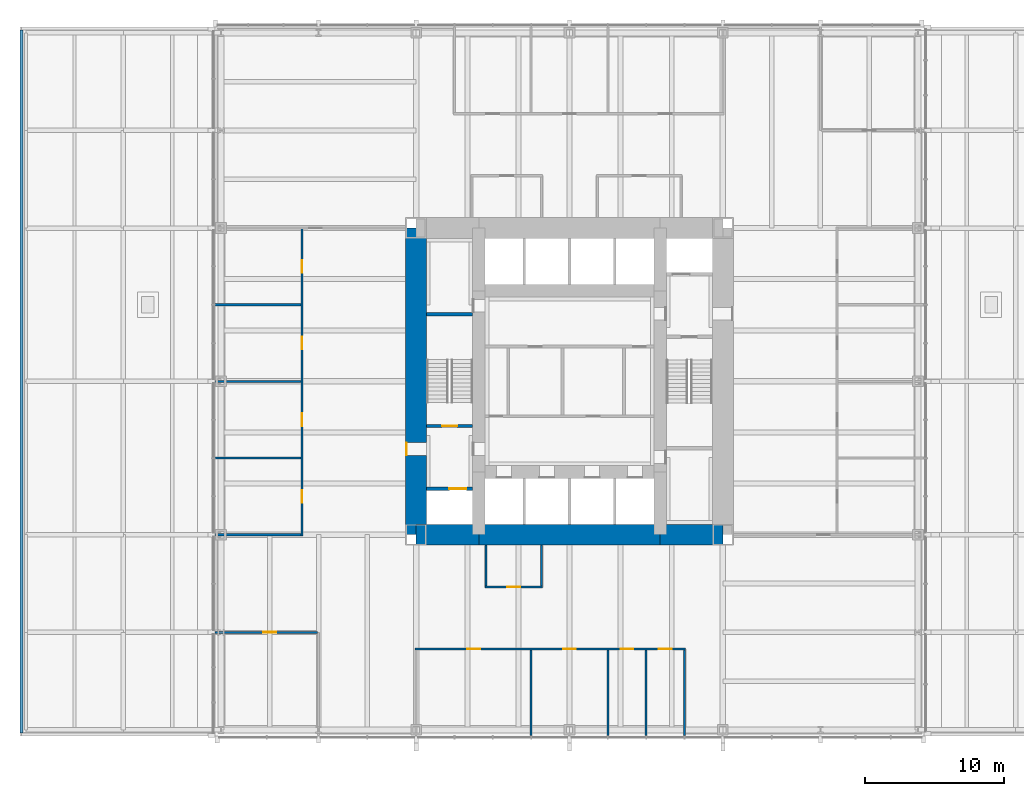
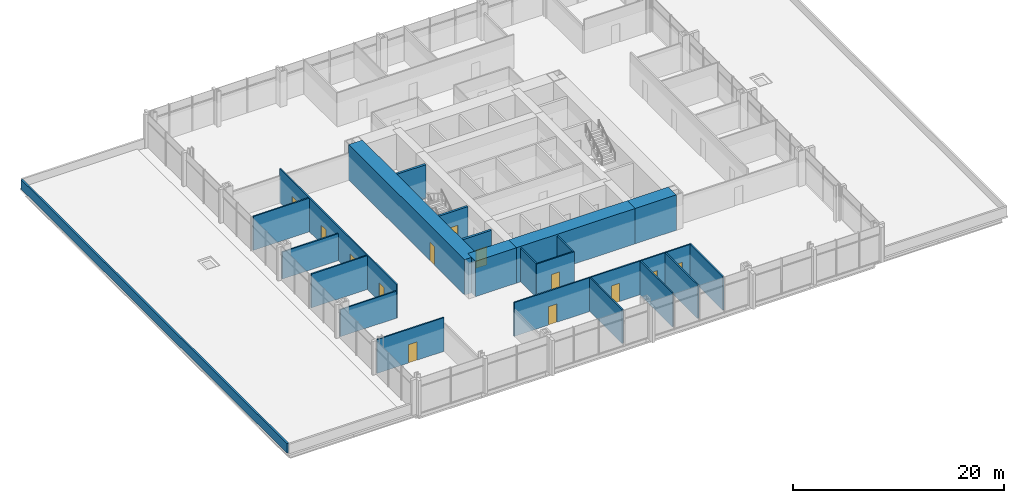
# One storey, part 12 of 15: 22 walls, 13 doors, 13 openings.
"""IFC4 building model written with IfcOpenShell, lengths in metres."""

import ifcopenshell
import ifcopenshell.guid

model = None  # the IFC model being written
_history = None  # IfcOwnerHistory: only IFC2X3 demands one
_inside = {}  # id of a spatial element -> (the spatial element, [elements in it])
_under = {}  # id of a project, library or spatial element -> (it, [spatial elements below it])
_declared = {}  # id of a project -> (the project, [libraries it declares])
_typed = {}  # id of a type object -> (the type object, [elements of that type])
_made_of = {}  # id of a material, layer set ... -> (it, [elements and type objects made of it])


def new_model(schema):
    """Start an empty IFC model of exactly this schema.

    Asked for "IFC4X3", IfcOpenShell would pick the latest addendum, in which some entities
    have other attributes; the version numbers below select the first issue.
    IFC2X3 requires an IfcOwnerHistory on every rooted entity: one is made here for all.
    """
    global model, _history
    if schema == "IFC4X3":
        model = ifcopenshell.file(schema_version=(4, 3, 0, 0))
    else:
        model = ifcopenshell.file(schema=schema)
    _inside.clear()
    _under.clear()
    _declared.clear()
    _typed.clear()
    _made_of.clear()
    _history = None
    if model.schema == "IFC2X3":
        org = make("IfcOrganization", Name="unknown")
        user = make(
            "IfcPersonAndOrganization",
            ThePerson=make("IfcPerson", FamilyName="unknown"),
            TheOrganization=org,
        )
        app = make(
            "IfcApplication",
            ApplicationDeveloper=org,
            Version="unknown",
            ApplicationFullName="unknown",
            ApplicationIdentifier="unknown",
        )
        _history = make(
            "IfcOwnerHistory",
            OwningUser=user,
            OwningApplication=app,
            ChangeAction="ADDED",
            CreationDate=0,
        )
    return model


def make(cls, **values):
    """One entity of the class cls with the attributes given. An attribute that is None is left unset."""
    return model.create_entity(
        cls, **{name: value for name, value in values.items() if value is not None}
    )


def rooted(cls, **values):
    """An entity with a GlobalId (a new one), such as an element, a storey or a relation."""
    return make(cls, GlobalId=ifcopenshell.guid.new(), OwnerHistory=_history, **values)


def si_unit(unit_type, name, prefix=None):
    """IfcSIUnit, for example si_unit("LENGTHUNIT", "METRE", prefix="MILLI")."""
    return make("IfcSIUnit", UnitType=unit_type, Prefix=prefix, Name=name)


def assignment(units):
    """IfcUnitAssignment: the units of a project."""
    return None if units is None else make("IfcUnitAssignment", Units=units)


def point(xyz):
    """IfcCartesianPoint."""
    return None if xyz is None else make("IfcCartesianPoint", Coordinates=xyz)


def direction(xyz):
    """IfcDirection."""
    return None if xyz is None else make("IfcDirection", DirectionRatios=xyz)


def frame(location, z_axis=None, x_axis=None):
    """IfcAxis2Placement3D, a coordinate frame: its origin and axes. An axis left out is left unset."""
    return make(
        "IfcAxis2Placement3D",
        Location=point(location),
        Axis=direction(z_axis),
        RefDirection=direction(x_axis),
    )


def frame_2d(location, x_axis=None):
    """IfcAxis2Placement2D, a coordinate frame in the plane: its origin and x axis."""
    return make(
        "IfcAxis2Placement2D", Location=point(location), RefDirection=direction(x_axis)
    )


def origin():
    """The frame at (0, 0, 0) with its axes left unset."""
    return frame((0.0, 0.0, 0.0))


def place(relative_to, where):
    """IfcLocalPlacement: puts the frame where relative to a parent placement (None: the world)."""
    return make(
        "IfcLocalPlacement", PlacementRelTo=relative_to, RelativePlacement=where
    )


def context(
    kind, dimensions, precision=None, world=None, true_north=None, identifier=None
):
    """IfcGeometricRepresentationContext, for example the 3D "Model" context."""
    return make(
        "IfcGeometricRepresentationContext",
        ContextIdentifier=identifier,
        ContextType=kind,
        CoordinateSpaceDimension=dimensions,
        Precision=precision,
        WorldCoordinateSystem=world,
        TrueNorth=true_north,
    )


def subcontext(parent, identifier, kind, view, scale=None):
    """IfcGeometricRepresentationSubContext, for example "Body" below "Model"."""
    return make(
        "IfcGeometricRepresentationSubContext",
        ContextIdentifier=identifier,
        ContextType=kind,
        ParentContext=parent,
        TargetScale=scale,
        TargetView=view,
    )


def project(units=None, contexts=None):
    """IfcProject with its units and contexts."""
    return rooted(
        "IfcProject",
        Name="project",
        RepresentationContexts=contexts,
        UnitsInContext=assignment(units),
    )


def spatial(cls, under=None, at=None, **own):
    """A site, building, storey or space (cls), placed at a placement, below another one or the project."""
    s = rooted(cls, ObjectPlacement=at, **own)
    if under is not None:
        _under.setdefault(under.id(), (under, []))[1].append(s)
    return s


def profile(cls, at=None, kind="AREA", **sizes):
    """A parametric profile (cls). Its sizes go by their IFC names, for example OverallWidth=200.0."""
    return make(cls, ProfileType=kind, Position=at, **sizes)


def rectangle(**sizes):
    """IfcRectangleProfileDef."""
    return profile("IfcRectangleProfileDef", **sizes)


def extrude(swept, where, along, depth):
    """IfcExtrudedAreaSolid: the profile swept, set in the frame where, extruded along a direction by depth."""
    return make(
        "IfcExtrudedAreaSolid",
        SweptArea=swept,
        Position=where,
        ExtrudedDirection=direction(along),
        Depth=depth,
    )


def shape(context_of_items, identifier, shape_type, items):
    """IfcShapeRepresentation: the items that make up one representation, for example the "Body"."""
    return make(
        "IfcShapeRepresentation",
        ContextOfItems=context_of_items,
        RepresentationIdentifier=identifier,
        RepresentationType=shape_type,
        Items=items,
    )


def material(Name=None, Category=None):
    """IfcMaterial."""
    return make("IfcMaterial", Name=Name, Category=Category)


def layer(
    of_material, thickness, ventilated=None, Name=None, Category=None, Priority=None
):
    """IfcMaterialLayer: one layer of a wall or slab, of a material (None: an air gap)."""
    return make(
        "IfcMaterialLayer",
        Material=of_material,
        LayerThickness=thickness,
        IsVentilated=ventilated,
        Name=Name,
        Category=Category,
        Priority=Priority,
    )


def layer_set(layers, Name=None):
    """IfcMaterialLayerSet."""
    return make("IfcMaterialLayerSet", MaterialLayers=layers, LayerSetName=Name)


def made_of(thing, what):
    """Note that an element or type object is made of a material, layer set ...; save() writes the relation."""
    if what is not None:
        _made_of.setdefault(what.id(), (what, []))[1].append(thing)
    return thing


def type_object(cls, material=None, **own):
    """A type object (cls), such as IfcWallType, which elements share."""
    return made_of(rooted(cls, **own), material)


def element(
    cls,
    number,
    at=None,
    inside=None,
    cuts=None,
    type_object=None,
    material=None,
    context=None,
    identifier="Body",
    shape_type=None,
    held_by="IfcProductDefinitionShape",
    body=None,
    shapes=None,
    **own,
):
    """One element of the class cls, such as IfcWall. Its Tag is "e" and its number.

    at: its placement. inside: the storey or other place that contains it. cuts: it is an
    opening in that element (IfcRelVoidsElement). A single representation is given by context,
    identifier, shape_type and body (its items); several are given by shapes. held_by: the class
    of the entity that holds the representations. save() writes the other relations.
    """
    e = rooted(cls, Tag="e%d" % number, ObjectPlacement=at, **own)
    if body is not None:
        shapes = [shape(context, identifier, shape_type, body)]
    if shapes is not None:
        e.Representation = make(held_by, Representations=shapes)
    if inside is not None:
        _inside.setdefault(inside.id(), (inside, []))[1].append(e)
    if cuts is not None:
        rooted(
            "IfcRelVoidsElement", RelatingBuildingElement=cuts, RelatedOpeningElement=e
        )
    if type_object is not None:
        _typed.setdefault(type_object.id(), (type_object, []))[1].append(e)
    return made_of(e, material)


def fill(opening, filler):
    """IfcRelFillsElement: the door or window that sits in an opening."""
    return rooted(
        "IfcRelFillsElement",
        RelatingOpeningElement=opening,
        RelatedBuildingElement=filler,
    )


def aggregate(whole, parts):
    """IfcRelAggregates: a whole, such as a stair, and the parts it consists of."""
    return rooted("IfcRelAggregates", RelatingObject=whole, RelatedObjects=parts)


def save(model, path):
    """Write the relations noted so far, then the file.

    IfcRelAggregates (storeys below a building ...), IfcRelContainedInSpatialStructure (elements
    in a storey), IfcRelDefinesByType, IfcRelAssociatesMaterial and IfcRelDeclares: one each for
    every whole, place, type object, material and project.
    """
    for whole, parts in _under.values():
        aggregate(whole, parts)
    for where, things in _inside.values():
        rooted(
            "IfcRelContainedInSpatialStructure",
            RelatedElements=things,
            RelatingStructure=where,
        )
    for kind, things in _typed.values():
        rooted("IfcRelDefinesByType", RelatedObjects=things, RelatingType=kind)
    for what, things in _made_of.values():
        rooted("IfcRelAssociatesMaterial", RelatedObjects=things, RelatingMaterial=what)
    for by, libraries in _declared.values():
        rooted("IfcRelDeclares", RelatingContext=by, RelatedDefinitions=libraries)
    model.write(path)


model = new_model("IFC4")

# Units and contexts
model_context = context("Model", 3, precision=1e-05, world=origin(), true_north=direction((0.0, 1.0)))
body_context = subcontext(model_context, "Body", "Model", "MODEL_VIEW")
ifc_project = project(units=[si_unit("LENGTHUNIT", "METRE"), si_unit("AREAUNIT", "SQUARE_METRE"), si_unit("VOLUMEUNIT", "CUBIC_METRE"), si_unit("PLANEANGLEUNIT", "RADIAN"), si_unit("MASSUNIT", "GRAM", prefix="KILO")], contexts=[model_context])

# Site, building, storey
site_placement = place(None, origin())
site = spatial("IfcSite", under=ifc_project, at=site_placement, CompositionType="ELEMENT")
building_placement = place(site_placement, origin())
building = spatial("IfcBuilding", under=site, at=building_placement, Name="Trevanion Tower", CompositionType="ELEMENT")
storey_placement = place(building_placement, frame((0.0, 0.0, 16.0)))
storey = spatial("IfcBuildingStorey", under=building, at=storey_placement, Name="L03", CompositionType="ELEMENT", Elevation=16.0)

# Wall, opening, door
ifc_material_1 = material(Name="Concrete 10,000 psi", Category="concrete")
ifc_layer_1 = layer(ifc_material_1, 1.5)
ifc_layer_set_1 = layer_set([ifc_layer_1], Name="CW1 core wall 1500")
wall_type_1 = type_object("IfcWallType", Name="CW1 core wall 1500", PredefinedType="SHEAR", material=ifc_layer_set_1)
wall_1_placement = place(storey_placement, frame((-11.0, 11.0, 0.0), z_axis=(0.0, 0.0, 1.0), x_axis=(0.0, -1.0, 0.0)))
wall_1 = element("IfcWall", 1, at=wall_1_placement, inside=storey, type_object=wall_type_1, Name="CW1 CW L03", PredefinedType="SHEAR", context=body_context, shape_type="SweptSolid", body=[
    extrude(rectangle(XDim=22.0, YDim=1.5, at=frame_2d((11.0, 0.0))), origin(), (0.0, 0.0, 1.0), 4.10009765625),
])
opening_1_placement = place(wall_1_placement, frame((15.392578125, 0.0, 0.0)))
opening_1 = element("IfcOpeningElement", 2, at=opening_1_placement, cuts=wall_1, Name="Opening 03-002", PredefinedType="OPENING", context=body_context, shape_type="SweptSolid", body=[
    extrude(rectangle(XDim=0.9150390625, YDim=2.134033203125, at=frame_2d((0.45751953125, 1.06689453125))), frame((0.0, 0.760009765625, 0.0), z_axis=(0.0, -1.0, 0.0), x_axis=(1.0, 0.0, 0.0)), (0.0, 0.0, 1.0), 1.52001953125),
])
ifc_material_2 = material(Name="Hollow metal, fire rated", Category="steel")
door_type_1 = type_object("IfcDoorType", Name="D3 fire lift lobby door", OperationType="SINGLE_SWING_RIGHT", PredefinedType="DOOR", material=ifc_material_2)
door_1_placement = place(opening_1_placement, origin())
door_1 = element("IfcDoor", 3, at=door_1_placement, inside=storey, type_object=door_type_1, Name="Door 03-002", OperationType="SINGLE_SWING_RIGHT", OverallHeight=2.134033203125, OverallWidth=0.9150390625, PredefinedType="DOOR", context=body_context, shape_type="SweptSolid", body=[
    extrude(rectangle(XDim=0.9150390625, YDim=2.134033203125, at=frame_2d((0.45751953125, 1.06689453125))), frame((0.0, -0.6748046875, 0.0), z_axis=(0.0, -1.0, 0.0), x_axis=(1.0, 0.0, 0.0)), (0.0, 0.0, 1.0), 0.050048828125),
])
fill(opening_1, door_1)

# Walls
wall_2_placement = place(storey_placement, frame((-11.0, -11.0, 0.0), z_axis=(0.0, 0.0, 1.0), x_axis=(1.0, 0.0, 0.0)))
element("IfcWall", 4, at=wall_2_placement, inside=storey, type_object=wall_type_1, Name="CW1 CS1 L03", PredefinedType="SHEAR", context=body_context, shape_type="SweptSolid", body=[
    extrude(rectangle(XDim=4.5, YDim=1.5, at=frame_2d((2.25, 0.0))), origin(), (0.0, 0.0, 1.0), 4.10009765625),
])
wall_3_placement = place(storey_placement, frame((-6.5, -11.0, 0.0), z_axis=(0.0, 0.0, 1.0), x_axis=(1.0, 0.0, 0.0)))
element("IfcWall", 5, at=wall_3_placement, inside=storey, type_object=wall_type_1, Name="CW1 CS2 L03", PredefinedType="SHEAR", context=body_context, shape_type="SweptSolid", body=[
    extrude(rectangle(XDim=13.0, YDim=1.5, at=frame_2d((6.5, 0.0))), origin(), (0.0, 0.0, 1.0), 4.10009765625),
])
wall_4_placement = place(storey_placement, frame((6.5, -11.0, 0.0), z_axis=(0.0, 0.0, 1.0), x_axis=(1.0, 0.0, 0.0)))
element("IfcWall", 6, at=wall_4_placement, inside=storey, type_object=wall_type_1, Name="CW1 CS3 L03", PredefinedType="SHEAR", context=body_context, shape_type="SweptSolid", body=[
    extrude(rectangle(XDim=4.5, YDim=1.5, at=frame_2d((2.25, 0.0))), origin(), (0.0, 0.0, 1.0), 4.10009765625),
])
ifc_material_3 = material(Name="Reinforced concrete parapet faced in bronze metal coping", Category="concrete")
ifc_layer_2 = layer(ifc_material_3, 0.199951171875)
ifc_layer_set_2 = layer_set([ifc_layer_2], Name="PP1 parapet 200")
wall_type_2 = type_object("IfcWallType", Name="PP1 parapet 200", PredefinedType="PARAPET", material=ifc_layer_set_2)
wall_5_placement = place(storey_placement, frame((-39.320068359375, -25.219970703125, 0.0), z_axis=(0.0, 0.0, 1.0), x_axis=(0.0, 1.0, 0.0)))
element("IfcWall", 7, at=wall_5_placement, inside=storey, type_object=wall_type_2, Name="PP1 L03 west 2", PredefinedType="PARAPET", context=body_context, shape_type="SweptSolid", body=[
    extrude(rectangle(XDim=50.43994140625, YDim=0.199951171875, at=frame_2d((25.219970703125, 0.0))), origin(), (0.0, 0.0, 1.0), 1.10009765625),
])

# Wall, opening, door
ifc_material_4 = material(Name="Gypsum board on steel studs", Category="steel")
ifc_layer_3 = layer(ifc_material_4, 0.14990234375)
ifc_layer_set_3 = layer_set([ifc_layer_3], Name="PT1 partition 150")
wall_type_3 = type_object("IfcWallType", Name="PT1 partition 150", PredefinedType="PARTITIONING", material=ifc_layer_set_3)
wall_6_placement = place(storey_placement, frame((-18.074951171875, -18.0, 0.0), z_axis=(0.0, 0.0, 1.0), x_axis=(-1.0, 0.0, 0.0)))
wall_6 = element("IfcWall", 8, at=wall_6_placement, inside=storey, type_object=wall_type_3, Name="PT1 L03 KW2b", PredefinedType="PARTITIONING", context=body_context, shape_type="SweptSolid", body=[
    extrude(rectangle(XDim=7.340087890625, YDim=0.14990234375, at=frame_2d((3.669921875, 0.0))), origin(), (0.0, 0.0, 1.0), 3.909912109375),
])
opening_2_placement = place(wall_6_placement, frame((2.967529296875, 0.0, 0.0)))
opening_2 = element("IfcOpeningElement", 9, at=opening_2_placement, cuts=wall_6, Name="Opening 03-022", PredefinedType="OPENING", context=body_context, shape_type="SweptSolid", body=[
    extrude(rectangle(XDim=0.9150390625, YDim=2.134033203125, at=frame_2d((0.45751953125, 1.06689453125))), frame((0.0, 0.0849609375, 0.0), z_axis=(0.0, -1.0, 0.0), x_axis=(1.0, 0.0, 0.0)), (0.0, 0.0, 1.0), 0.169921875),
])
ifc_material_5 = material(Name="Timber veneer, solid core", Category="wood")
door_type_2 = type_object("IfcDoorType", Name="D1 office and meeting room door", OperationType="SINGLE_SWING_LEFT", PredefinedType="DOOR", material=ifc_material_5)
door_2_placement = place(opening_2_placement, origin())
door_2 = element("IfcDoor", 10, at=door_2_placement, inside=storey, type_object=door_type_2, Name="Door 03-022", OperationType="SINGLE_SWING_LEFT", OverallHeight=2.134033203125, OverallWidth=0.9150390625, PredefinedType="DOOR", context=body_context, shape_type="SweptSolid", body=[
    extrude(rectangle(XDim=0.9150390625, YDim=2.134033203125, at=frame_2d((0.45751953125, 1.06689453125))), frame((0.0, 0.02490234375, 0.0), z_axis=(0.0, -1.0, 0.0), x_axis=(1.0, 0.0, 0.0)), (0.0, 0.0, 1.0), 0.050048828125),
])
fill(opening_2, door_2)

# Wall, openings, doors
wall_7_placement = place(storey_placement, frame((-19.199951171875, 11.074951171875, 0.0), z_axis=(0.0, 0.0, 1.0), x_axis=(0.0, -1.0, 0.0)))
wall_7 = element("IfcWall", 11, at=wall_7_placement, inside=storey, type_object=wall_type_3, Name="PT1 L03 FC2F", PredefinedType="PARTITIONING", context=body_context, shape_type="SweptSolid", body=[
    extrude(rectangle(XDim=22.14990234375, YDim=0.14990234375, at=frame_2d((11.074951171875, 0.0))), origin(), (0.0, 0.0, 1.0), 3.909912109375),
])
opening_3_placement = place(wall_7_placement, frame((2.367431640625, 0.0, 0.0)))
opening_3 = element("IfcOpeningElement", 12, at=opening_3_placement, cuts=wall_7, Name="Opening 03-027", PredefinedType="OPENING", context=body_context, shape_type="SweptSolid", body=[
    extrude(rectangle(XDim=0.9150390625, YDim=2.134033203125, at=frame_2d((0.45751953125, 1.06689453125))), frame((0.0, 0.0849609375, 0.0), z_axis=(0.0, -1.0, 0.0), x_axis=(1.0, 0.0, 0.0)), (0.0, 0.0, 1.0), 0.169921875),
])
opening_4_placement = place(wall_7_placement, frame((7.867431640625, 0.0, 0.0)))
opening_4 = element("IfcOpeningElement", 13, at=opening_4_placement, cuts=wall_7, Name="Opening 03-028", PredefinedType="OPENING", context=body_context, shape_type="SweptSolid", body=[
    extrude(rectangle(XDim=0.9150390625, YDim=2.134033203125, at=frame_2d((0.45751953125, 1.06689453125))), frame((0.0, 0.0849609375, 0.0), z_axis=(0.0, -1.0, 0.0), x_axis=(1.0, 0.0, 0.0)), (0.0, 0.0, 1.0), 0.169921875),
])
opening_5_placement = place(wall_7_placement, frame((13.367431640625, 0.0, 0.0)))
opening_5 = element("IfcOpeningElement", 14, at=opening_5_placement, cuts=wall_7, Name="Opening 03-029", PredefinedType="OPENING", context=body_context, shape_type="SweptSolid", body=[
    extrude(rectangle(XDim=0.9150390625, YDim=2.134033203125, at=frame_2d((0.45751953125, 1.06689453125))), frame((0.0, 0.0849609375, 0.0), z_axis=(0.0, -1.0, 0.0), x_axis=(1.0, 0.0, 0.0)), (0.0, 0.0, 1.0), 0.169921875),
])
opening_6_placement = place(wall_7_placement, frame((18.867431640625, 0.0, 0.0)))
opening_6 = element("IfcOpeningElement", 15, at=opening_6_placement, cuts=wall_7, Name="Opening 03-030", PredefinedType="OPENING", context=body_context, shape_type="SweptSolid", body=[
    extrude(rectangle(XDim=0.9150390625, YDim=2.134033203125, at=frame_2d((0.45751953125, 1.06689453125))), frame((0.0, 0.0849609375, 0.0), z_axis=(0.0, -1.0, 0.0), x_axis=(1.0, 0.0, 0.0)), (0.0, 0.0, 1.0), 0.169921875),
])
door_3_placement = place(opening_3_placement, origin())
door_3 = element("IfcDoor", 16, at=door_3_placement, inside=storey, type_object=door_type_2, Name="Door 03-027", OperationType="SINGLE_SWING_LEFT", OverallHeight=2.134033203125, OverallWidth=0.9150390625, PredefinedType="DOOR", context=body_context, shape_type="SweptSolid", body=[
    extrude(rectangle(XDim=0.9150390625, YDim=2.134033203125, at=frame_2d((0.45751953125, 1.06689453125))), frame((0.0, 0.02490234375, 0.0), z_axis=(0.0, -1.0, 0.0), x_axis=(1.0, 0.0, 0.0)), (0.0, 0.0, 1.0), 0.050048828125),
])
fill(opening_3, door_3)
door_4_placement = place(opening_4_placement, origin())
door_4 = element("IfcDoor", 17, at=door_4_placement, inside=storey, type_object=door_type_2, Name="Door 03-028", OperationType="SINGLE_SWING_LEFT", OverallHeight=2.134033203125, OverallWidth=0.9150390625, PredefinedType="DOOR", context=body_context, shape_type="SweptSolid", body=[
    extrude(rectangle(XDim=0.9150390625, YDim=2.134033203125, at=frame_2d((0.45751953125, 1.06689453125))), frame((0.0, 0.02490234375, 0.0), z_axis=(0.0, -1.0, 0.0), x_axis=(1.0, 0.0, 0.0)), (0.0, 0.0, 1.0), 0.050048828125),
])
fill(opening_4, door_4)
door_5_placement = place(opening_5_placement, origin())
door_5 = element("IfcDoor", 18, at=door_5_placement, inside=storey, type_object=door_type_2, Name="Door 03-029", OperationType="SINGLE_SWING_LEFT", OverallHeight=2.134033203125, OverallWidth=0.9150390625, PredefinedType="DOOR", context=body_context, shape_type="SweptSolid", body=[
    extrude(rectangle(XDim=0.9150390625, YDim=2.134033203125, at=frame_2d((0.45751953125, 1.06689453125))), frame((0.0, 0.02490234375, 0.0), z_axis=(0.0, -1.0, 0.0), x_axis=(1.0, 0.0, 0.0)), (0.0, 0.0, 1.0), 0.050048828125),
])
fill(opening_5, door_5)
door_6_placement = place(opening_6_placement, origin())
door_6 = element("IfcDoor", 19, at=door_6_placement, inside=storey, type_object=door_type_2, Name="Door 03-030", OperationType="SINGLE_SWING_LEFT", OverallHeight=2.134033203125, OverallWidth=0.9150390625, PredefinedType="DOOR", context=body_context, shape_type="SweptSolid", body=[
    extrude(rectangle(XDim=0.9150390625, YDim=2.134033203125, at=frame_2d((0.45751953125, 1.06689453125))), frame((0.0, 0.02490234375, 0.0), z_axis=(0.0, -1.0, 0.0), x_axis=(1.0, 0.0, 0.0)), (0.0, 0.0, 1.0), 0.050048828125),
])
fill(opening_6, door_6)

# Walls
wall_8_placement = place(storey_placement, frame((-19.27490234375, 5.5, 0.0), z_axis=(0.0, 0.0, 1.0), x_axis=(-1.0, 0.0, 0.0)))
element("IfcWall", 20, at=wall_8_placement, inside=storey, type_object=wall_type_3, Name="PT1 L03 FC2S2", PredefinedType="PARTITIONING", context=body_context, shape_type="SweptSolid", body=[
    extrude(rectangle(XDim=6.14013671875, YDim=0.14990234375, at=frame_2d((3.070068359375, 0.0))), origin(), (0.0, 0.0, 1.0), 3.909912109375),
])
wall_9_placement = place(storey_placement, frame((-19.27490234375, 0.0, 0.0), z_axis=(0.0, 0.0, 1.0), x_axis=(-1.0, 0.0, 0.0)))
element("IfcWall", 21, at=wall_9_placement, inside=storey, type_object=wall_type_3, Name="PT1 L03 FC2S4", PredefinedType="PARTITIONING", context=body_context, shape_type="SweptSolid", body=[
    extrude(rectangle(XDim=6.14013671875, YDim=0.14990234375, at=frame_2d((3.070068359375, 0.0))), origin(), (0.0, 0.0, 1.0), 3.130126953125),
])
wall_10_placement = place(storey_placement, frame((-19.27490234375, -5.5, 0.0), z_axis=(0.0, 0.0, 1.0), x_axis=(-1.0, 0.0, 0.0)))
element("IfcWall", 22, at=wall_10_placement, inside=storey, type_object=wall_type_3, Name="PT1 L03 FC2S6", PredefinedType="PARTITIONING", context=body_context, shape_type="SweptSolid", body=[
    extrude(rectangle(XDim=6.14013671875, YDim=0.14990234375, at=frame_2d((3.070068359375, 0.0))), origin(), (0.0, 0.0, 1.0), 3.909912109375),
])
wall_11_placement = place(storey_placement, frame((-19.27490234375, -11.0, 0.0), z_axis=(0.0, 0.0, 1.0), x_axis=(-1.0, 0.0, 0.0)))
element("IfcWall", 23, at=wall_11_placement, inside=storey, type_object=wall_type_3, Name="PT1 L03 FC2S8", PredefinedType="PARTITIONING", context=body_context, shape_type="SweptSolid", body=[
    extrude(rectangle(XDim=6.14013671875, YDim=0.14990234375, at=frame_2d((3.070068359375, 0.0))), origin(), (0.0, 0.0, 1.0), 3.130126953125),
])

# Wall, openings, doors
wall_12_placement = place(storey_placement, frame((-11.074951171875, -19.199951171875, 0.0), z_axis=(0.0, 0.0, 1.0), x_axis=(1.0, 0.0, 0.0)))
wall_12 = element("IfcWall", 24, at=wall_12_placement, inside=storey, type_object=wall_type_3, Name="PT1 L03 FC3F", PredefinedType="PARTITIONING", context=body_context, shape_type="SweptSolid", body=[
    extrude(rectangle(XDim=19.39990234375, YDim=0.14990234375, at=frame_2d((9.699951171875, 0.0))), origin(), (0.0, 0.0, 1.0), 3.909912109375),
])
opening_7_placement = place(wall_12_placement, frame((3.742431640625, 0.0, 0.0)))
opening_7 = element("IfcOpeningElement", 25, at=opening_7_placement, cuts=wall_12, Name="Opening 03-034", PredefinedType="OPENING", context=body_context, shape_type="SweptSolid", body=[
    extrude(rectangle(XDim=0.9150390625, YDim=2.134033203125, at=frame_2d((0.45751953125, 1.06689453125))), frame((0.0, 0.0849609375, 0.0), z_axis=(0.0, -1.0, 0.0), x_axis=(1.0, 0.0, 0.0)), (0.0, 0.0, 1.0), 0.169921875),
])
opening_8_placement = place(wall_12_placement, frame((10.617431640625, 0.0, 0.0)))
opening_8 = element("IfcOpeningElement", 26, at=opening_8_placement, cuts=wall_12, Name="Opening 03-035", PredefinedType="OPENING", context=body_context, shape_type="SweptSolid", body=[
    extrude(rectangle(XDim=0.9150390625, YDim=2.134033203125, at=frame_2d((0.45751953125, 1.06689453125))), frame((0.0, 0.0849609375, 0.0), z_axis=(0.0, -1.0, 0.0), x_axis=(1.0, 0.0, 0.0)), (0.0, 0.0, 1.0), 0.169921875),
])
opening_9_placement = place(wall_12_placement, frame((14.742431640625, 0.0, 0.0)))
opening_9 = element("IfcOpeningElement", 27, at=opening_9_placement, cuts=wall_12, Name="Opening 03-036", PredefinedType="OPENING", context=body_context, shape_type="SweptSolid", body=[
    extrude(rectangle(XDim=0.9150390625, YDim=2.134033203125, at=frame_2d((0.45751953125, 1.06689453125))), frame((0.0, 0.0849609375, 0.0), z_axis=(0.0, -1.0, 0.0), x_axis=(1.0, 0.0, 0.0)), (0.0, 0.0, 1.0), 0.169921875),
])
opening_10_placement = place(wall_12_placement, frame((17.492431640625, 0.0, 0.0)))
opening_10 = element("IfcOpeningElement", 28, at=opening_10_placement, cuts=wall_12, Name="Opening 03-037", PredefinedType="OPENING", context=body_context, shape_type="SweptSolid", body=[
    extrude(rectangle(XDim=0.9150390625, YDim=2.134033203125, at=frame_2d((0.45751953125, 1.06689453125))), frame((0.0, 0.0849609375, 0.0), z_axis=(0.0, -1.0, 0.0), x_axis=(1.0, 0.0, 0.0)), (0.0, 0.0, 1.0), 0.169921875),
])
door_7_placement = place(opening_7_placement, origin())
door_7 = element("IfcDoor", 29, at=door_7_placement, inside=storey, type_object=door_type_2, Name="Door 03-034", OperationType="SINGLE_SWING_LEFT", OverallHeight=2.134033203125, OverallWidth=0.9150390625, PredefinedType="DOOR", context=body_context, shape_type="SweptSolid", body=[
    extrude(rectangle(XDim=0.9150390625, YDim=2.134033203125, at=frame_2d((0.45751953125, 1.06689453125))), frame((0.0, 0.02490234375, 0.0), z_axis=(0.0, -1.0, 0.0), x_axis=(1.0, 0.0, 0.0)), (0.0, 0.0, 1.0), 0.050048828125),
])
fill(opening_7, door_7)
door_8_placement = place(opening_8_placement, origin())
door_8 = element("IfcDoor", 30, at=door_8_placement, inside=storey, type_object=door_type_2, Name="Door 03-035", OperationType="SINGLE_SWING_LEFT", OverallHeight=2.134033203125, OverallWidth=0.9150390625, PredefinedType="DOOR", context=body_context, shape_type="SweptSolid", body=[
    extrude(rectangle(XDim=0.9150390625, YDim=2.134033203125, at=frame_2d((0.45751953125, 1.06689453125))), frame((0.0, 0.02490234375, 0.0), z_axis=(0.0, -1.0, 0.0), x_axis=(1.0, 0.0, 0.0)), (0.0, 0.0, 1.0), 0.050048828125),
])
fill(opening_8, door_8)
door_9_placement = place(opening_9_placement, origin())
door_9 = element("IfcDoor", 31, at=door_9_placement, inside=storey, type_object=door_type_2, Name="Door 03-036", OperationType="SINGLE_SWING_LEFT", OverallHeight=2.134033203125, OverallWidth=0.9150390625, PredefinedType="DOOR", context=body_context, shape_type="SweptSolid", body=[
    extrude(rectangle(XDim=0.9150390625, YDim=2.134033203125, at=frame_2d((0.45751953125, 1.06689453125))), frame((0.0, 0.02490234375, 0.0), z_axis=(0.0, -1.0, 0.0), x_axis=(1.0, 0.0, 0.0)), (0.0, 0.0, 1.0), 0.050048828125),
])
fill(opening_9, door_9)
door_10_placement = place(opening_10_placement, origin())
door_10 = element("IfcDoor", 32, at=door_10_placement, inside=storey, type_object=door_type_2, Name="Door 03-037", OperationType="SINGLE_SWING_LEFT", OverallHeight=2.134033203125, OverallWidth=0.9150390625, PredefinedType="DOOR", context=body_context, shape_type="SweptSolid", body=[
    extrude(rectangle(XDim=0.9150390625, YDim=2.134033203125, at=frame_2d((0.45751953125, 1.06689453125))), frame((0.0, 0.02490234375, 0.0), z_axis=(0.0, -1.0, 0.0), x_axis=(1.0, 0.0, 0.0)), (0.0, 0.0, 1.0), 0.050048828125),
])
fill(opening_10, door_10)

# Walls
for number, where, z_axis, x_axis, name in (
    (33, (-2.75, -19.27490234375, 0.0), (0.0, 0.0, 1.0), (0.0, -1.0, 0.0), "PT1 L03 FC3S3"),
    (34, (2.75, -19.27490234375, 0.0), (0.0, 0.0, 1.0), (0.0, -1.0, 0.0), "PT1 L03 FC3S5"),
    (35, (5.5, -19.27490234375, 0.0), (0.0, 0.0, 1.0), (0.0, -1.0, 0.0), "PT1 L03 FC3S6"),
    (36, (8.25, -19.27490234375, 0.0), (0.0, 0.0, 1.0), (0.0, -1.0, 0.0), "PT1 L03 FC3S7"),
):
    element("IfcWall", number, at=place(storey_placement, frame(where, z_axis=z_axis, x_axis=x_axis)), inside=storey, type_object=wall_type_3, Name=name, PredefinedType="PARTITIONING", context=body_context, shape_type="SweptSolid", body=[
        extrude(rectangle(XDim=6.14013671875, YDim=0.14990234375, at=frame_2d((3.070068359375, 0.0))), origin(), (0.0, 0.0, 1.0), 3.909912109375),
    ])

# Wall, opening, door
wall_13_placement = place(storey_placement, frame((-6.074951171875, -14.75, 0.0), z_axis=(0.0, 0.0, 1.0), x_axis=(1.0, 0.0, 0.0)))
wall_13 = element("IfcWall", 37, at=wall_13_placement, inside=storey, type_object=wall_type_3, Name="PT1 L03 IN30F", PredefinedType="PARTITIONING", context=body_context, shape_type="SweptSolid", body=[
    extrude(rectangle(XDim=4.14990234375, YDim=0.14990234375, at=frame_2d((2.074951171875, 0.0))), origin(), (0.0, 0.0, 1.0), 3.909912109375),
])
opening_11_placement = place(wall_13_placement, frame((1.617431640625, 0.0, 0.0)))
opening_11 = element("IfcOpeningElement", 38, at=opening_11_placement, cuts=wall_13, Name="Opening 03-040", PredefinedType="OPENING", context=body_context, shape_type="SweptSolid", body=[
    extrude(rectangle(XDim=0.9150390625, YDim=2.134033203125, at=frame_2d((0.45751953125, 1.06689453125))), frame((0.0, 0.0849609375, 0.0), z_axis=(0.0, -1.0, 0.0), x_axis=(1.0, 0.0, 0.0)), (0.0, 0.0, 1.0), 0.169921875),
])
door_11_placement = place(opening_11_placement, origin())
door_11 = element("IfcDoor", 39, at=door_11_placement, inside=storey, type_object=door_type_2, Name="Door 03-040", OperationType="SINGLE_SWING_LEFT", OverallHeight=2.134033203125, OverallWidth=0.9150390625, PredefinedType="DOOR", context=body_context, shape_type="SweptSolid", body=[
    extrude(rectangle(XDim=0.9150390625, YDim=2.134033203125, at=frame_2d((0.45751953125, 1.06689453125))), frame((0.0, 0.02490234375, 0.0), z_axis=(0.0, -1.0, 0.0), x_axis=(1.0, 0.0, 0.0)), (0.0, 0.0, 1.0), 0.050048828125),
])
fill(opening_11, door_11)

# Walls
for number, where, z_axis, x_axis, name in (
    (40, (-6.0, -14.675048828125, 0.0), (0.0, 0.0, 1.0), (0.0, 1.0, 0.0), "PT1 L03 IN30S0"),
    (41, (-2.0, -14.675048828125, 0.0), (0.0, 0.0, 1.0), (0.0, 1.0, 0.0), "PT1 L03 IN30S1"),
):
    element("IfcWall", number, at=place(storey_placement, frame(where, z_axis=z_axis, x_axis=x_axis)), inside=storey, type_object=wall_type_3, Name=name, PredefinedType="PARTITIONING", context=body_context, shape_type="SweptSolid", body=[
        extrude(rectangle(XDim=2.925048828125, YDim=0.14990234375, at=frame_2d((1.46240234375, 0.0))), origin(), (0.0, 0.0, 1.0), 3.909912109375),
    ])

# Wall, opening, door
ifc_material_6 = material(Name="Concrete masonry, grouted, two-hour", Category="masonry")
ifc_layer_4 = layer(ifc_material_6, 0.25)
ifc_layer_set_4 = layer_set([ifc_layer_4], Name="PT3 partition 250 2 HR")
wall_type_4 = type_object("IfcWallType", Name="PT3 partition 250 2 HR", PredefinedType="PARTITIONING", material=ifc_layer_set_4)
wall_14_placement = place(storey_placement, frame((-6.949951171875, -7.699951171875, 0.0), z_axis=(0.0, 0.0, 1.0), x_axis=(-1.0, 0.0, 0.0)))
wall_14 = element("IfcWall", 42, at=wall_14_placement, inside=storey, type_object=wall_type_4, Name="PT3 L03 WP3", PredefinedType="PARTITIONING", context=body_context, shape_type="SweptSolid", body=[
    extrude(rectangle(XDim=3.300048828125, YDim=0.25, at=frame_2d((1.64990234375, 0.0))), origin(), (0.0, 0.0, 1.0), 3.909912109375),
])
opening_12_placement = place(wall_14_placement, frame((0.449951171875, 0.0, 0.0)))
opening_12 = element("IfcOpeningElement", 43, at=opening_12_placement, cuts=wall_14, Name="Opening 03-008", PredefinedType="OPENING", context=body_context, shape_type="SweptSolid", body=[
    extrude(rectangle(XDim=1.218994140625, YDim=2.134033203125, at=frame_2d((0.609375, 1.06689453125))), frame((0.0, 0.135009765625, 0.0), z_axis=(0.0, -1.0, 0.0), x_axis=(1.0, 0.0, 0.0)), (0.0, 0.0, 1.0), 0.27001953125),
])
ifc_material_7 = material(Name="Stainless steel, fire rated", Category="steel")
door_type_3 = type_object("IfcDoorType", Name="LD2 fire service lift landing door", OperationType="SLIDING_TO_LEFT", PredefinedType="DOOR", material=ifc_material_7)
door_12_placement = place(opening_12_placement, origin())
door_12 = element("IfcDoor", 44, at=door_12_placement, inside=storey, type_object=door_type_3, Name="Door 03-008", OperationType="SLIDING_TO_LEFT", OverallHeight=2.134033203125, OverallWidth=1.218994140625, PredefinedType="DOOR", context=body_context, shape_type="SweptSolid", body=[
    extrude(rectangle(XDim=1.218994140625, YDim=2.134033203125, at=frame_2d((0.609375, 1.06689453125))), frame((0.0, 0.02490234375, 0.0), z_axis=(0.0, -1.0, 0.0), x_axis=(1.0, 0.0, 0.0)), (0.0, 0.0, 1.0), 0.050048828125),
])
fill(opening_12, door_12)

# Wall
ifc_material_8 = material(Name="Reinforced masonry, fully grouted", Category="masonry")
ifc_layer_5 = layer(ifc_material_8, 0.25)
ifc_layer_set_5 = layer_set([ifc_layer_5], Name="SW1 stair shaft wall 250")
wall_type_5 = type_object("IfcWallType", Name="SW1 stair shaft wall 250", PredefinedType="SOLIDWALL", material=ifc_layer_set_5)
wall_15_placement = place(storey_placement, frame((-6.949951171875, 4.800048828125, 0.0), z_axis=(0.0, 0.0, 1.0), x_axis=(-1.0, 0.0, 0.0)))
element("IfcWall", 45, at=wall_15_placement, inside=storey, type_object=wall_type_5, Name="SW1 L03 WP1", PredefinedType="SOLIDWALL", context=body_context, shape_type="SweptSolid", body=[
    extrude(rectangle(XDim=3.300048828125, YDim=0.25, at=frame_2d((1.64990234375, 0.0))), origin(), (0.0, 0.0, 1.0), 3.909912109375),
])

# Wall, opening, door
wall_16_placement = place(storey_placement, frame((-6.949951171875, -3.199951171875, 0.0), z_axis=(0.0, 0.0, 1.0), x_axis=(-1.0, 0.0, 0.0)))
wall_16 = element("IfcWall", 46, at=wall_16_placement, inside=storey, type_object=wall_type_5, Name="SW1 L03 WP2", PredefinedType="SOLIDWALL", context=body_context, shape_type="SweptSolid", body=[
    extrude(rectangle(XDim=3.300048828125, YDim=0.25, at=frame_2d((1.64990234375, 0.0))), origin(), (0.0, 0.0, 1.0), 3.909912109375),
])
opening_13_placement = place(wall_16_placement, frame((1.116455078125, 0.0, 0.0)))
opening_13 = element("IfcOpeningElement", 47, at=opening_13_placement, cuts=wall_16, Name="Opening 03-006", PredefinedType="OPENING", context=body_context, shape_type="SweptSolid", body=[
    extrude(rectangle(XDim=1.06689453125, YDim=2.134033203125, at=frame_2d((0.533447265625, 1.06689453125))), frame((0.0, 0.135009765625, 0.0), z_axis=(0.0, -1.0, 0.0), x_axis=(1.0, 0.0, 0.0)), (0.0, 0.0, 1.0), 0.27001953125),
])
ifc_material_9 = material(Name="Hollow metal, fire rated", Category="steel")
door_type_4 = type_object("IfcDoorType", Name="D2 exit stair door", OperationType="SINGLE_SWING_LEFT", PredefinedType="DOOR", material=ifc_material_9)
door_13_placement = place(opening_13_placement, origin())
door_13 = element("IfcDoor", 48, at=door_13_placement, inside=storey, type_object=door_type_4, Name="Door 03-006", OperationType="SINGLE_SWING_LEFT", OverallHeight=2.134033203125, OverallWidth=1.06689453125, PredefinedType="DOOR", context=body_context, shape_type="SweptSolid", body=[
    extrude(rectangle(XDim=1.06689453125, YDim=2.134033203125, at=frame_2d((0.533447265625, 1.06689453125))), frame((0.0, 0.02490234375, 0.0), z_axis=(0.0, -1.0, 0.0), x_axis=(1.0, 0.0, 0.0)), (0.0, 0.0, 1.0), 0.050048828125),
])
fill(opening_13, door_13)

save(model, "model.ifc")
